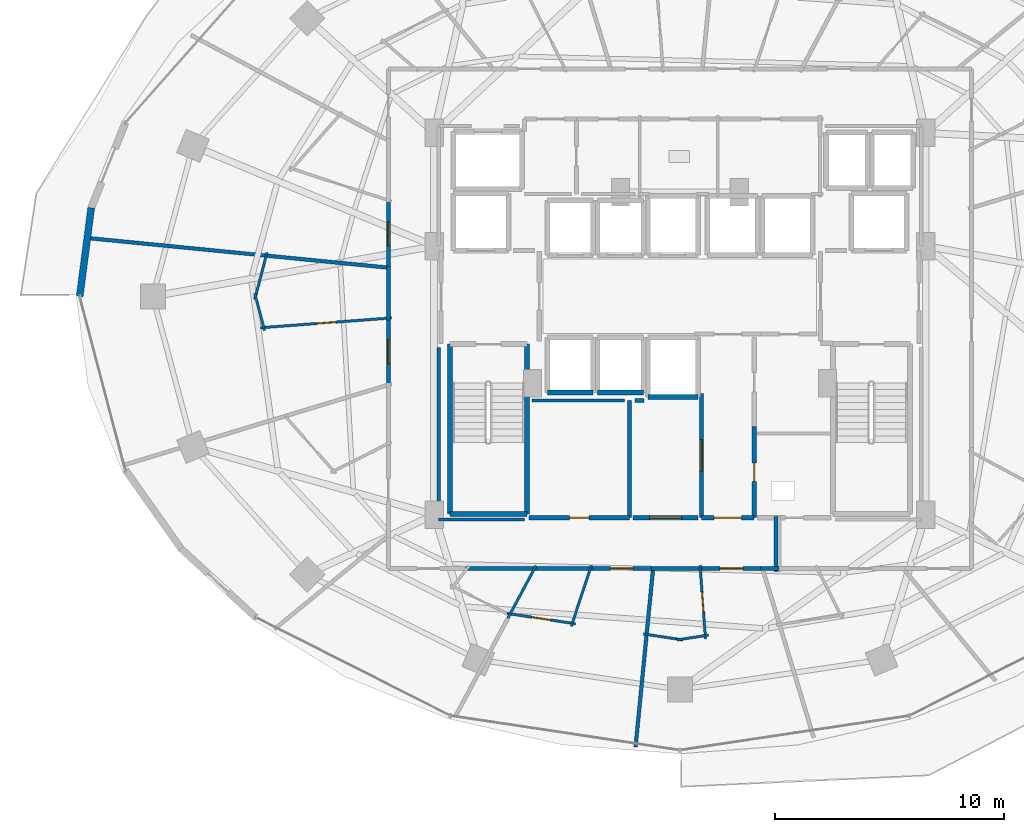
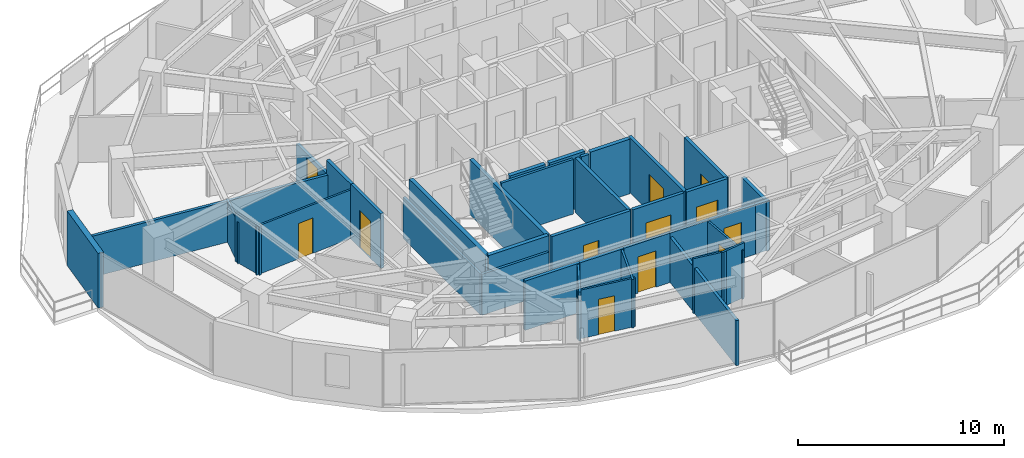
# One storey, part 21 of 29: 38 walls, 12 doors, 12 openings.
"""IFC4 building model written with IfcOpenShell, lengths in metres."""

from ifc_helpers import new_model, si_unit, direction, frame, frame_2d, origin, place, context, subcontext, project, spatial, rectangle, extrude, material, layer, layer_set, type_object, element, fill, save


model = new_model("IFC4")

# Units and contexts
model_context = context("Model", 3, precision=1e-05, world=origin(), true_north=direction((0.0, 1.0)))
body_context = subcontext(model_context, "Body", "Model", "MODEL_VIEW")
ifc_project = project(units=[si_unit("LENGTHUNIT", "METRE"), si_unit("AREAUNIT", "SQUARE_METRE"), si_unit("VOLUMEUNIT", "CUBIC_METRE"), si_unit("PLANEANGLEUNIT", "RADIAN"), si_unit("MASSUNIT", "GRAM", prefix="KILO")], contexts=[model_context])

# Site, building, storey
site_placement = place(None, origin())
site = spatial("IfcSite", under=ifc_project, at=site_placement, CompositionType="ELEMENT")
building_placement = place(site_placement, origin())
building = spatial("IfcBuilding", under=site, at=building_placement, Name="Vorneva Point Tower", CompositionType="ELEMENT")
storey_placement = place(building_placement, frame((0.0, 0.0, 110.300048828125)))
storey = spatial("IfcBuildingStorey", under=building, at=storey_placement, Name="L29", CompositionType="ELEMENT", Elevation=110.300048828125)

# Walls
ifc_material_1 = material(Name="Precast concrete B50 (C40/50)", Category="concrete")
ifc_layer_1 = layer(ifc_material_1, 0.300048828125)
ifc_layer_set_1 = layer_set([ifc_layer_1], Name="Precast concrete B50 (C40/50)")
wall_type_1 = type_object("IfcWallType", Name="WL-EXT-300", PredefinedType="STANDARD", material=ifc_layer_set_1)
wall_1_placement = place(storey_placement, frame((12.25439453125, 29.87255859375, 0.0), z_axis=(0.0, 0.0, 1.0), x_axis=(-0.129157444793, -0.991624099372, 0.0)))
element("IfcWall", 1, at=wall_1_placement, inside=storey, type_object=wall_type_1, Name="L29 Pale-Metal Facade Spandrel Wall 08.2", PredefinedType="STANDARD", context=body_context, shape_type="SweptSolid", body=[
    extrude(rectangle(XDim=3.9052734375, YDim=0.300048828125, at=frame_2d((1.95263671875, 0.0))), origin(), (0.0, 0.0, 1.0), 3.239990234375),
])
ifc_material_2 = material(Name="Fire-rated acoustic gypsum stud partition", Category="gypsum")
ifc_layer_2 = layer(ifc_material_2, 0.110107421875)
ifc_layer_set_2 = layer_set([ifc_layer_2], Name="Fire-rated acoustic gypsum stud partition")
wall_type_2 = type_object("IfcWallType", Name="WL-PART-110", PredefinedType="PARTITIONING", material=ifc_layer_set_2)
wall_2_placement = place(storey_placement, frame((19.83349609375, 24.503662109375, 0.0), z_axis=(0.0, 0.0, 1.0), x_axis=(-0.254365100164, 0.967108264787, 0.0)))
element("IfcWall", 2, at=wall_2_placement, inside=storey, type_object=wall_type_2, Name="L29 Interior Partition 087", PredefinedType="PARTITIONING", context=body_context, shape_type="SweptSolid", body=[
    extrude(rectangle(XDim=1.687255859375, YDim=0.110107421875, at=frame_2d((0.84375, 0.0))), origin(), (0.0, 0.0, 1.0), 2.885986328125),
])
wall_3_placement = place(storey_placement, frame((19.404296875, 25.864501953125, 0.0), z_axis=(0.0, 0.0, 1.0), x_axis=(0.254504620934, 0.967071557809, 0.0)))
element("IfcWall", 3, at=wall_3_placement, inside=storey, type_object=wall_type_2, Name="L29 Interior Partition 088", PredefinedType="PARTITIONING", context=body_context, shape_type="SweptSolid", body=[
    extrude(rectangle(XDim=2.122802734375, YDim=0.110107421875, at=frame_2d((1.0615234375, 0.0))), origin(), (0.0, 0.0, 1.0), 2.431884765625),
])

# Wall, opening, door
wall_4_placement = place(storey_placement, frame((25.3896484375, 25.057373046875, 0.0), z_axis=(0.0, 0.0, 1.0), x_axis=(-0.997213943518, -0.074594576563, 0.0)))
wall_4 = element("IfcWall", 4, at=wall_4_placement, inside=storey, type_object=wall_type_2, Name="L29 Interior Partition 089", PredefinedType="PARTITIONING", context=body_context, shape_type="SweptSolid", body=[
    extrude(rectangle(XDim=5.747314453125, YDim=0.110107421875, at=frame_2d((2.87353515625, 0.0))), origin(), (0.0, 0.0, 1.0), 2.885986328125),
])
opening_1_placement = place(wall_4_placement, frame((2.448486328125, 0.0, 0.0)))
opening_1 = element("IfcOpeningElement", 5, at=opening_1_placement, cuts=wall_4, Name="Opening ID-02", PredefinedType="OPENING", context=body_context, shape_type="SweptSolid", body=[
    extrude(rectangle(XDim=0.85009765625, YDim=2.10009765625, at=frame_2d((0.425048828125, 1.050048828125))), frame((0.0, 0.06982421875, 0.0), z_axis=(0.0, -1.0, 0.0), x_axis=(1.0, 0.0, 0.0)), (0.0, 0.0, 1.0), 0.139892578125),
])
ifc_material_3 = material(Name="Engineered oak fire-rated door leaf", Category="wood")
door_type_1 = type_object("IfcDoorType", Name="DR-BATH-850", OperationType="NOTDEFINED", PredefinedType="DOOR", material=ifc_material_3)
door_1_placement = place(opening_1_placement, origin())
door_1 = element("IfcDoor", 6, at=door_1_placement, inside=storey, type_object=door_type_1, Name="L29 Door Junior Suite L29-08 / En-Suite Bathroom L29-08", OperationType="SINGLE_SWING_RIGHT", OverallHeight=2.10009765625, OverallWidth=0.85009765625, PredefinedType="DOOR", context=body_context, shape_type="SweptSolid", body=[
    extrude(rectangle(XDim=0.85009765625, YDim=2.10009765625, at=frame_2d((0.425048828125, 1.050048828125))), frame((0.0, 0.02490234375, 0.0), z_axis=(0.0, -1.0, 0.0), x_axis=(1.0, 0.0, 0.0)), (0.0, 0.0, 1.0), 0.050048828125),
])
fill(opening_1, door_1)

# Wall
wall_5_placement = place(storey_placement, frame((30.48095703125, 11.93359375, 0.0), z_axis=(0.0, 0.0, 1.0), x_axis=(0.471456709401, 0.881889205718, 0.0)))
element("IfcWall", 7, at=wall_5_placement, inside=storey, type_object=wall_type_2, Name="L29 Interior Partition 097", PredefinedType="PARTITIONING", context=body_context, shape_type="SweptSolid", body=[
    extrude(rectangle(XDim=2.596435546875, YDim=0.110107421875, at=frame_2d((1.29833984375, 0.0))), origin(), (0.0, 0.0, 1.0), 2.885986328125),
])

# Wall, opening, door
wall_6_placement = place(storey_placement, frame((33.431396484375, 11.68310546875, 0.0), z_axis=(0.0, 0.0, 1.0), x_axis=(-0.988849795555, 0.148916358508, 0.0)))
wall_6 = element("IfcWall", 8, at=wall_6_placement, inside=storey, type_object=wall_type_2, Name="L29 Interior Partition 099", PredefinedType="PARTITIONING", context=body_context, shape_type="SweptSolid", body=[
    extrude(rectangle(XDim=3.0263671875, YDim=0.110107421875, at=frame_2d((1.51318359375, 0.0))), origin(), (0.0, 0.0, 1.0), 2.885986328125),
])
opening_2_placement = place(wall_6_placement, frame((1.08837890625, 0.0, 0.0)))
opening_2 = element("IfcOpeningElement", 9, at=opening_2_placement, cuts=wall_6, Name="Opening ID-02", PredefinedType="OPENING", context=body_context, shape_type="SweptSolid", body=[
    extrude(rectangle(XDim=0.85009765625, YDim=2.10009765625, at=frame_2d((0.425048828125, 1.050048828125))), frame((0.0, 0.06982421875, 0.0), z_axis=(0.0, -1.0, 0.0), x_axis=(1.0, 0.0, 0.0)), (0.0, 0.0, 1.0), 0.139892578125),
])
door_2_placement = place(opening_2_placement, origin())
door_2 = element("IfcDoor", 10, at=door_2_placement, inside=storey, type_object=door_type_1, Name="L29 Door Deluxe Guest Room L29-11 / En-Suite Bathroom L29-11", OperationType="SINGLE_SWING_LEFT", OverallHeight=2.10009765625, OverallWidth=0.85009765625, PredefinedType="DOOR", context=body_context, shape_type="SweptSolid", body=[
    extrude(rectangle(XDim=0.85009765625, YDim=2.10009765625, at=frame_2d((0.425048828125, 1.050048828125))), frame((0.0, 0.02490234375, 0.0), z_axis=(0.0, -1.0, 0.0), x_axis=(1.0, 0.0, 0.0)), (0.0, 0.0, 1.0), 0.050048828125),
])
fill(opening_2, door_2)

# Walls
wall_7_placement = place(storey_placement, frame((34.125732421875, 14.23291015625, 0.0), z_axis=(0.0, 0.0, 1.0), x_axis=(-0.312749678962, -0.949835584882, 0.0)))
element("IfcWall", 11, at=wall_7_placement, inside=storey, type_object=wall_type_2, Name="L29 Interior Partition 100", PredefinedType="PARTITIONING", context=body_context, shape_type="SweptSolid", body=[
    extrude(rectangle(XDim=2.802490234375, YDim=0.110107421875, at=frame_2d((1.4013671875, 0.0))), origin(), (0.0, 0.0, 1.0), 2.885986328125),
])
wall_8_placement = place(storey_placement, frame((39.247314453125, 11.183837890625, 0.0), z_axis=(0.0, 0.0, 1.0), x_axis=(-0.988844156702, -0.148953797389, 0.0)))
element("IfcWall", 12, at=wall_8_placement, inside=storey, type_object=wall_type_2, Name="L29 Interior Partition 102", PredefinedType="PARTITIONING", context=body_context, shape_type="SweptSolid", body=[
    extrude(rectangle(XDim=1.4013671875, YDim=0.110107421875, at=frame_2d((0.70068359375, 0.0))), origin(), (0.0, 0.0, 1.0), 3.239990234375),
])
wall_9_placement = place(storey_placement, frame((38.138427734375, 10.97509765625, 0.0), z_axis=(0.0, 0.0, 1.0), x_axis=(-0.988868806461, 0.148790065554, 0.0)))
element("IfcWall", 13, at=wall_9_placement, inside=storey, type_object=wall_type_2, Name="L29 Interior Partition 103", PredefinedType="PARTITIONING", context=body_context, shape_type="SweptSolid", body=[
    extrude(rectangle(XDim=1.75244140625, YDim=0.110107421875, at=frame_2d((0.876220703125, 0.0))), origin(), (0.0, 0.0, 1.0), 3.239990234375),
])

# Wall, opening, door
wall_10_placement = place(storey_placement, frame((38.879638671875, 14.239501953125, 0.0), z_axis=(0.0, 0.0, 1.0), x_axis=(0.074340146514, -0.997232943006, 0.0)))
wall_10 = element("IfcWall", 14, at=wall_10_placement, inside=storey, type_object=wall_type_2, Name="L29 Interior Partition 104", PredefinedType="PARTITIONING", context=body_context, shape_type="SweptSolid", body=[
    extrude(rectangle(XDim=3.22509765625, YDim=0.110107421875, at=frame_2d((1.612548828125, 0.0))), origin(), (0.0, 0.0, 1.0), 2.885986328125),
])
opening_3_placement = place(wall_10_placement, frame((1.1875, 0.0, 0.0)))
opening_3 = element("IfcOpeningElement", 15, at=opening_3_placement, cuts=wall_10, Name="Opening ID-02", PredefinedType="OPENING", context=body_context, shape_type="SweptSolid", body=[
    extrude(rectangle(XDim=0.85009765625, YDim=2.10009765625, at=frame_2d((0.425048828125, 1.050048828125))), frame((0.0, 0.06982421875, 0.0), z_axis=(0.0, -1.0, 0.0), x_axis=(1.0, 0.0, 0.0)), (0.0, 0.0, 1.0), 0.139892578125),
])
door_3_placement = place(opening_3_placement, origin())
door_3 = element("IfcDoor", 16, at=door_3_placement, inside=storey, type_object=door_type_1, Name="L29 Door King Guest Room L29-12 / En-Suite Bathroom L29-12", OperationType="SINGLE_SWING_RIGHT", OverallHeight=2.10009765625, OverallWidth=0.85009765625, PredefinedType="DOOR", context=body_context, shape_type="SweptSolid", body=[
    extrude(rectangle(XDim=0.85009765625, YDim=2.10009765625, at=frame_2d((0.425048828125, 1.050048828125))), frame((0.0, 0.02490234375, 0.0), z_axis=(0.0, -1.0, 0.0), x_axis=(1.0, 0.0, 0.0)), (0.0, 0.0, 1.0), 0.050048828125),
])
fill(opening_3, door_3)

# Walls
ifc_layer_3 = layer(ifc_material_2, 0.139892578125)
ifc_layer_set_3 = layer_set([ifc_layer_3], Name="Fire-rated acoustic gypsum stud partition")
wall_type_3 = type_object("IfcWallType", Name="WL-PART-140", PredefinedType="PARTITIONING", material=ifc_layer_set_3)
wall_11_placement = place(storey_placement, frame((35.580078125, 21.449951171875, 0.0), z_axis=(0.0, 0.0, 1.0), x_axis=(-1.0, 0.0, 0.0)))
element("IfcWall", 17, at=wall_11_placement, inside=storey, type_object=wall_type_3, Name="L29 Interior Closure Partition 121", PredefinedType="PARTITIONING", context=body_context, shape_type="SweptSolid", body=[
    extrude(rectangle(XDim=4.050048828125, YDim=0.139892578125, at=frame_2d((2.02490234375, 0.0))), origin(), (0.0, 0.0, 1.0), 3.239990234375),
])
wall_12_placement = place(storey_placement, frame((31.195068359375, 16.239990234375, 0.0), z_axis=(0.0, 0.0, 1.0), x_axis=(-1.0, 0.0, 0.0)))
element("IfcWall", 18, at=wall_12_placement, inside=storey, type_object=wall_type_3, Name="L29 Interior Closure Partition 127", PredefinedType="PARTITIONING", context=body_context, shape_type="SweptSolid", body=[
    extrude(rectangle(XDim=3.7451171875, YDim=0.139892578125, at=frame_2d((1.87255859375, 0.0))), origin(), (0.0, 0.0, 1.0), 2.431884765625),
])
wall_13_placement = place(storey_placement, frame((27.449951171875, 16.239990234375, 0.0), z_axis=(0.0, 0.0, 1.0), x_axis=(0.0, 1.0, 0.0)))
element("IfcWall", 19, at=wall_13_placement, inside=storey, type_object=wall_type_3, Name="L29 Interior Closure Partition 128", PredefinedType="PARTITIONING", context=body_context, shape_type="SweptSolid", body=[
    extrude(rectangle(XDim=7.513916015625, YDim=0.139892578125, at=frame_2d((3.7568359375, 0.0))), origin(), (0.0, 0.0, 1.0), 2.431884765625),
])
ifc_layer_4 = layer(ifc_material_2, 0.159912109375)
ifc_layer_set_4 = layer_set([ifc_layer_4], Name="Fire-rated acoustic gypsum stud partition")
wall_type_4 = type_object("IfcWallType", Name="WL-PART-160", PredefinedType="PARTITIONING", material=ifc_layer_set_4)
wall_14_placement = place(storey_placement, frame((12.0830078125, 28.552978515625, 0.0), z_axis=(0.0, 0.0, 1.0), x_axis=(0.995184435733, -0.098020094241, 0.0)))
element("IfcWall", 20, at=wall_14_placement, inside=storey, type_object=wall_type_4, Name="L29 Interior Partition 086", PredefinedType="PARTITIONING", context=body_context, shape_type="SweptSolid", body=[
    extrude(rectangle(XDim=13.230712890625, YDim=0.159912109375, at=frame_2d((6.615234375, 0.0))), origin(), (0.0, 0.0, 1.0), 2.431884765625),
])
wall_15_placement = place(storey_placement, frame((36.05908203125, 6.294921875, 0.0), z_axis=(0.0, 0.0, 1.0), x_axis=(0.098024226043, 0.995184028765, 0.0)))
element("IfcWall", 21, at=wall_15_placement, inside=storey, type_object=wall_type_4, Name="L29 Interior Partition 101", PredefinedType="PARTITIONING", context=body_context, shape_type="SweptSolid", body=[
    extrude(rectangle(XDim=7.843017578125, YDim=0.159912109375, at=frame_2d((3.92138671875, 0.0))), origin(), (0.0, 0.0, 1.0), 2.677001953125),
])

# Wall, opening, door
ifc_material_4 = material(Name="Autoclaved aerated concrete blockwork", Category="masonry")
ifc_layer_5 = layer(ifc_material_4, 0.179931640625)
ifc_layer_set_5 = layer_set([ifc_layer_5], Name="Autoclaved aerated concrete blockwork")
wall_type_5 = type_object("IfcWallType", Name="WL-PART-180", PredefinedType="PARTITIONING", material=ifc_layer_set_5)
wall_16_placement = place(storey_placement, frame((41.25, 16.320068359375, 0.0), z_axis=(0.0, 0.0, 1.0), x_axis=(0.0, 1.0, 0.0)))
wall_16 = element("IfcWall", 22, at=wall_16_placement, inside=storey, type_object=wall_type_5, Name="L29 Interior Partition 011", PredefinedType="PARTITIONING", context=body_context, shape_type="SweptSolid", body=[
    extrude(rectangle(XDim=3.98486328125, YDim=0.179931640625, at=frame_2d((1.992431640625, 0.0))), origin(), (0.0, 0.0, 1.0), 3.239990234375),
])
opening_4_placement = place(wall_16_placement, frame((1.592529296875, 0.0, 0.0)))
opening_4 = element("IfcOpeningElement", 23, at=opening_4_placement, cuts=wall_16, Name="Opening RD-01", PredefinedType="OPENING", context=body_context, shape_type="SweptSolid", body=[
    extrude(rectangle(XDim=0.800048828125, YDim=2.050048828125, at=frame_2d((0.39990234375, 1.02490234375))), frame((0.0, 0.10498046875, 0.0), z_axis=(0.0, -1.0, 0.0), x_axis=(1.0, 0.0, 0.0)), (0.0, 0.0, 1.0), 0.209716796875),
])
ifc_material_5 = material(Name="Fire-rated powder-coated steel", Category="steel")
door_type_2 = type_object("IfcDoorType", Name="DR-RSR-800", OperationType="SINGLE_SWING_LEFT", PredefinedType="DOOR", material=ifc_material_5)
door_4_placement = place(opening_4_placement, origin())
door_4 = element("IfcDoor", 24, at=door_4_placement, inside=storey, type_object=door_type_2, Name="L29 Door Core Service Lobby / Electrical Riser", OperationType="SINGLE_SWING_RIGHT", OverallHeight=2.050048828125, OverallWidth=0.800048828125, PredefinedType="DOOR", context=body_context, shape_type="SweptSolid", body=[
    extrude(rectangle(XDim=0.800048828125, YDim=2.050048828125, at=frame_2d((0.39990234375, 1.02490234375))), frame((0.0, 0.02490234375, 0.0), z_axis=(0.0, -1.0, 0.0), x_axis=(1.0, 0.0, 0.0)), (0.0, 0.0, 1.0), 0.050048828125),
])
fill(opening_4, door_4)

wall_17_placement = place(storey_placement, frame((38.949951171875, 21.7548828125, 0.0), z_axis=(0.0, 0.0, 1.0), x_axis=(0.0, -1.0, 0.0)))
wall_17 = element("IfcWall", 25, at=wall_17_placement, inside=storey, type_object=wall_type_5, Name="L29 Interior Partition 013", PredefinedType="PARTITIONING", context=body_context, shape_type="SweptSolid", body=[
    extrude(rectangle(XDim=5.434814453125, YDim=0.179931640625, at=frame_2d((2.71728515625, 0.0))), origin(), (0.0, 0.0, 1.0), 3.239990234375),
])
opening_5_placement = place(wall_17_placement, frame((2.017578125, 0.0, 0.0)))
opening_5 = element("IfcOpeningElement", 26, at=opening_5_placement, cuts=wall_17, Name="Opening FD-03", PredefinedType="OPENING", context=body_context, shape_type="SweptSolid", body=[
    extrude(rectangle(XDim=1.39990234375, YDim=2.199951171875, at=frame_2d((0.699951171875, 1.10009765625))), frame((0.0, 0.10498046875, 0.0), z_axis=(0.0, -1.0, 0.0), x_axis=(1.0, 0.0, 0.0)), (0.0, 0.0, 1.0), 0.209716796875),
])
door_type_3 = type_object("IfcDoorType", Name="DR-PLT-1400", OperationType="DOUBLE_SWING_LEFT", PredefinedType="DOOR", material=ifc_material_5)
door_5_placement = place(opening_5_placement, origin())
door_5 = element("IfcDoor", 27, at=door_5_placement, inside=storey, type_object=door_type_3, Name="L29 Door Core Service Lobby / Telecoms and Data Room", OperationType="DOUBLE_SWING_LEFT", OverallHeight=2.199951171875, OverallWidth=1.39990234375, PredefinedType="DOOR", context=body_context, shape_type="SweptSolid", body=[
    extrude(rectangle(XDim=1.39990234375, YDim=2.199951171875, at=frame_2d((0.699951171875, 1.10009765625))), frame((0.0, 0.02490234375, 0.0), z_axis=(0.0, -1.0, 0.0), x_axis=(1.0, 0.0, 0.0)), (0.0, 0.0, 1.0), 0.050048828125),
])
fill(opening_5, door_5)

wall_18_placement = place(storey_placement, frame((38.949951171875, 16.320068359375, 0.0), z_axis=(0.0, 0.0, 1.0), x_axis=(1.0, 0.0, 0.0)))
wall_18 = element("IfcWall", 28, at=wall_18_placement, inside=storey, type_object=wall_type_5, Name="L29 Interior Partition 014", PredefinedType="PARTITIONING", context=body_context, shape_type="SweptSolid", body=[
    extrude(rectangle(XDim=2.300048828125, YDim=0.179931640625, at=frame_2d((1.14990234375, 0.0))), origin(), (0.0, 0.0, 1.0), 3.239990234375),
])
opening_6_placement = place(wall_18_placement, frame((0.550048828125, 0.0, 0.0)))
opening_6 = element("IfcOpeningElement", 29, at=opening_6_placement, cuts=wall_18, Name="Opening FD-02", PredefinedType="OPENING", context=body_context, shape_type="SweptSolid", body=[
    extrude(rectangle(XDim=1.199951171875, YDim=2.14990234375, at=frame_2d((0.60009765625, 1.074951171875))), frame((0.0, 0.10498046875, 0.0), z_axis=(0.0, -1.0, 0.0), x_axis=(1.0, 0.0, 0.0)), (0.0, 0.0, 1.0), 0.209716796875),
])
door_type_4 = type_object("IfcDoorType", Name="DR-FFL-1200", OperationType="NOTDEFINED", PredefinedType="DOOR", material=ifc_material_5)
door_6_placement = place(opening_6_placement, origin())
door_6 = element("IfcDoor", 30, at=door_6_placement, inside=storey, type_object=door_type_4, Name="L29 Door Core Service Lobby / L29 Circulation Corridor", OperationType="SINGLE_SWING_LEFT", OverallHeight=2.14990234375, OverallWidth=1.199951171875, PredefinedType="DOOR", context=body_context, shape_type="SweptSolid", body=[
    extrude(rectangle(XDim=1.199951171875, YDim=2.14990234375, at=frame_2d((0.60009765625, 1.074951171875))), frame((0.0, 0.02490234375, 0.0), z_axis=(0.0, -1.0, 0.0), x_axis=(1.0, 0.0, 0.0)), (0.0, 0.0, 1.0), 0.050048828125),
])
fill(opening_6, door_6)

# Wall
wall_19_placement = place(storey_placement, frame((35.800048828125, 16.320068359375, 0.0), z_axis=(0.0, 0.0, 1.0), x_axis=(0.0, 1.0, 0.0)))
element("IfcWall", 31, at=wall_19_placement, inside=storey, type_object=wall_type_5, Name="L29 Interior Partition 023", PredefinedType="PARTITIONING", context=body_context, shape_type="SweptSolid", body=[
    extrude(rectangle(XDim=5.1298828125, YDim=0.179931640625, at=frame_2d((2.56494140625, 0.0))), origin(), (0.0, 0.0, 1.0), 3.239990234375),
])

# Wall, opening, door
wall_20_placement = place(storey_placement, frame((31.39990234375, 16.320068359375, 0.0), z_axis=(0.0, 0.0, 1.0), x_axis=(1.0, 0.0, 0.0)))
wall_20 = element("IfcWall", 32, at=wall_20_placement, inside=storey, type_object=wall_type_5, Name="L29 Interior Partition 024", PredefinedType="PARTITIONING", context=body_context, shape_type="SweptSolid", body=[
    extrude(rectangle(XDim=4.400146484375, YDim=0.179931640625, at=frame_2d((2.2001953125, 0.0))), origin(), (0.0, 0.0, 1.0), 3.239990234375),
])
opening_7_placement = place(wall_20_placement, frame((1.77490234375, 0.0, 0.0)))
opening_7 = element("IfcOpeningElement", 33, at=opening_7_placement, cuts=wall_20, Name="Opening ID-02", PredefinedType="OPENING", context=body_context, shape_type="SweptSolid", body=[
    extrude(rectangle(XDim=0.85009765625, YDim=2.10009765625, at=frame_2d((0.425048828125, 1.050048828125))), frame((0.0, 0.10498046875, 0.0), z_axis=(0.0, -1.0, 0.0), x_axis=(1.0, 0.0, 0.0)), (0.0, 0.0, 1.0), 0.209716796875),
])
door_7_placement = place(opening_7_placement, origin())
door_7 = element("IfcDoor", 34, at=door_7_placement, inside=storey, type_object=door_type_1, Name="L29 Door Housekeeping Store / L29 Circulation Corridor", OperationType="SINGLE_SWING_RIGHT", OverallHeight=2.10009765625, OverallWidth=0.85009765625, PredefinedType="DOOR", context=body_context, shape_type="SweptSolid", body=[
    extrude(rectangle(XDim=0.85009765625, YDim=2.10009765625, at=frame_2d((0.425048828125, 1.050048828125))), frame((0.0, 0.02490234375, 0.0), z_axis=(0.0, -1.0, 0.0), x_axis=(1.0, 0.0, 0.0)), (0.0, 0.0, 1.0), 0.050048828125),
])
fill(opening_7, door_7)

wall_21_placement = place(storey_placement, frame((35.949951171875, 16.320068359375, 0.0), z_axis=(0.0, 0.0, 1.0), x_axis=(1.0, 0.0, 0.0)))
wall_21 = element("IfcWall", 35, at=wall_21_placement, inside=storey, type_object=wall_type_5, Name="L29 Interior Partition 025", PredefinedType="PARTITIONING", context=body_context, shape_type="SweptSolid", body=[
    extrude(rectangle(XDim=2.85009765625, YDim=0.179931640625, at=frame_2d((1.425048828125, 0.0))), origin(), (0.0, 0.0, 1.0), 3.239990234375),
])
opening_8_placement = place(wall_21_placement, frame((0.72509765625, 0.0, 0.0)))
opening_8 = element("IfcOpeningElement", 36, at=opening_8_placement, cuts=wall_21, Name="Opening FD-03", PredefinedType="OPENING", context=body_context, shape_type="SweptSolid", body=[
    extrude(rectangle(XDim=1.39990234375, YDim=2.199951171875, at=frame_2d((0.699951171875, 1.10009765625))), frame((0.0, 0.10498046875, 0.0), z_axis=(0.0, -1.0, 0.0), x_axis=(1.0, 0.0, 0.0)), (0.0, 0.0, 1.0), 0.209716796875),
])
door_8_placement = place(opening_8_placement, origin())
door_8 = element("IfcDoor", 37, at=door_8_placement, inside=storey, type_object=door_type_3, Name="L29 Door Telecoms and Data Room / L29 Circulation Corridor", OperationType="DOUBLE_SWING_LEFT", OverallHeight=2.199951171875, OverallWidth=1.39990234375, PredefinedType="DOOR", context=body_context, shape_type="SweptSolid", body=[
    extrude(rectangle(XDim=1.39990234375, YDim=2.199951171875, at=frame_2d((0.699951171875, 1.10009765625))), frame((0.0, 0.02490234375, 0.0), z_axis=(0.0, -1.0, 0.0), x_axis=(1.0, 0.0, 0.0)), (0.0, 0.0, 1.0), 0.050048828125),
])
fill(opening_8, door_8)

wall_22_placement = place(storey_placement, frame((25.25, 30.260986328125, 0.0), z_axis=(0.0, 0.0, 1.0), x_axis=(0.0, -1.0, 0.0)))
wall_22 = element("IfcWall", 38, at=wall_22_placement, inside=storey, type_object=wall_type_5, Name="L29 Interior Partition 040", PredefinedType="PARTITIONING", context=body_context, shape_type="SweptSolid", body=[
    extrude(rectangle(XDim=3.06494140625, YDim=0.179931640625, at=frame_2d((1.532470703125, 0.0))), origin(), (0.0, 0.0, 1.0), 2.431884765625),
])
opening_9_placement = place(wall_22_placement, frame((1.007568359375, 0.0, 0.0)))
opening_9 = element("IfcOpeningElement", 39, at=opening_9_placement, cuts=wall_22, Name="Opening UD-02", PredefinedType="OPENING", context=body_context, shape_type="SweptSolid", body=[
    extrude(rectangle(XDim=1.050048828125, YDim=2.199951171875, at=frame_2d((0.52490234375, 1.10009765625))), frame((0.0, 0.10498046875, 0.0), z_axis=(0.0, -1.0, 0.0), x_axis=(1.0, 0.0, 0.0)), (0.0, 0.0, 1.0), 0.209716796875),
])
door_type_5 = type_object("IfcDoorType", Name="DR-SUITE-1050", OperationType="NOTDEFINED", PredefinedType="DOOR", material=ifc_material_3)
door_9_placement = place(opening_9_placement, origin())
door_9 = element("IfcDoor", 40, at=door_9_placement, inside=storey, type_object=door_type_5, Name="L29 Door L29 Circulation Corridor / Corner Suite L29-07", OperationType="SINGLE_SWING_RIGHT", OverallHeight=2.199951171875, OverallWidth=1.050048828125, PredefinedType="DOOR", context=body_context, shape_type="SweptSolid", body=[
    extrude(rectangle(XDim=1.050048828125, YDim=2.199951171875, at=frame_2d((0.52490234375, 1.10009765625))), frame((0.0, 0.02490234375, 0.0), z_axis=(0.0, -1.0, 0.0), x_axis=(1.0, 0.0, 0.0)), (0.0, 0.0, 1.0), 0.050048828125),
])
fill(opening_9, door_9)

wall_23_placement = place(storey_placement, frame((25.25, 25.10693359375, 0.0), z_axis=(0.0, 0.0, 1.0), x_axis=(0.0, -1.0, 0.0)))
wall_23 = element("IfcWall", 41, at=wall_23_placement, inside=storey, type_object=wall_type_5, Name="L29 Interior Partition 042", PredefinedType="PARTITIONING", context=body_context, shape_type="SweptSolid", body=[
    extrude(rectangle(XDim=3.037841796875, YDim=0.179931640625, at=frame_2d((1.51904296875, 0.0))), origin(), (0.0, 0.0, 1.0), 3.239990234375),
])
opening_10_placement = place(wall_23_placement, frame((0.993896484375, 0.0, 0.0)))
opening_10 = element("IfcOpeningElement", 42, at=opening_10_placement, cuts=wall_23, Name="Opening UD-02", PredefinedType="OPENING", context=body_context, shape_type="SweptSolid", body=[
    extrude(rectangle(XDim=1.050048828125, YDim=2.199951171875, at=frame_2d((0.52490234375, 1.10009765625))), frame((0.0, 0.10498046875, 0.0), z_axis=(0.0, -1.0, 0.0), x_axis=(1.0, 0.0, 0.0)), (0.0, 0.0, 1.0), 0.209716796875),
])
door_10_placement = place(opening_10_placement, origin())
door_10 = element("IfcDoor", 43, at=door_10_placement, inside=storey, type_object=door_type_5, Name="L29 Door L29 Circulation Corridor / Junior Suite L29-08", OperationType="SINGLE_SWING_LEFT", OverallHeight=2.199951171875, OverallWidth=1.050048828125, PredefinedType="DOOR", context=body_context, shape_type="SweptSolid", body=[
    extrude(rectangle(XDim=1.050048828125, YDim=2.199951171875, at=frame_2d((0.52490234375, 1.10009765625))), frame((0.0, 0.02490234375, 0.0), z_axis=(0.0, -1.0, 0.0), x_axis=(1.0, 0.0, 0.0)), (0.0, 0.0, 1.0), 0.050048828125),
])
fill(opening_10, door_10)

# Walls
wall_24_placement = place(storey_placement, frame((25.25, 27.3359375, 0.0), z_axis=(0.0, 0.0, 1.0), x_axis=(0.0, -1.0, 0.0)))
element("IfcWall", 44, at=wall_24_placement, inside=storey, type_object=wall_type_5, Name="L29 Interior Partition 043", PredefinedType="PARTITIONING", context=body_context, shape_type="SweptSolid", body=[
    extrude(rectangle(XDim=2.368896484375, YDim=0.179931640625, at=frame_2d((1.1845703125, 0.0))), origin(), (0.0, 0.0, 1.0), 3.239990234375),
])
wall_25_placement = place(storey_placement, frame((28.614013671875, 14.10009765625, 0.0), z_axis=(0.0, 0.0, 1.0), x_axis=(1.0, 0.0, 0.0)))
element("IfcWall", 45, at=wall_25_placement, inside=storey, type_object=wall_type_5, Name="L29 Interior Partition 048", PredefinedType="PARTITIONING", context=body_context, shape_type="SweptSolid", body=[
    extrude(rectangle(XDim=3.22509765625, YDim=0.179931640625, at=frame_2d((1.612548828125, 0.0))), origin(), (0.0, 0.0, 1.0), 2.928955078125),
])

# Wall, opening, door
wall_26_placement = place(storey_placement, frame((34.01904296875, 14.10009765625, 0.0), z_axis=(0.0, 0.0, 1.0), x_axis=(1.0, 0.0, 0.0)))
wall_26 = element("IfcWall", 46, at=wall_26_placement, inside=storey, type_object=wall_type_5, Name="L29 Interior Partition 049", PredefinedType="PARTITIONING", context=body_context, shape_type="SweptSolid", body=[
    extrude(rectangle(XDim=2.868896484375, YDim=0.179931640625, at=frame_2d((1.4345703125, 0.0))), origin(), (0.0, 0.0, 1.0), 2.928955078125),
])
opening_11_placement = place(wall_26_placement, frame((0.9345703125, 0.0, 0.0)))
opening_11 = element("IfcOpeningElement", 47, at=opening_11_placement, cuts=wall_26, Name="Opening UD-01", PredefinedType="OPENING", context=body_context, shape_type="SweptSolid", body=[
    extrude(rectangle(XDim=1.0, YDim=2.14990234375, at=frame_2d((0.5, 1.074951171875))), frame((0.0, 0.10498046875, 0.0), z_axis=(0.0, -1.0, 0.0), x_axis=(1.0, 0.0, 0.0)), (0.0, 0.0, 1.0), 0.209716796875),
])
door_type_6 = type_object("IfcDoorType", Name="DR-UNIT-1000", OperationType="NOTDEFINED", PredefinedType="DOOR", material=ifc_material_3)
door_11_placement = place(opening_11_placement, origin())
door_11 = element("IfcDoor", 48, at=door_11_placement, inside=storey, type_object=door_type_6, Name="L29 Door L29 Circulation Corridor / Deluxe Guest Room L29-11", OperationType="SINGLE_SWING_RIGHT", OverallHeight=2.14990234375, OverallWidth=1.0, PredefinedType="DOOR", context=body_context, shape_type="SweptSolid", body=[
    extrude(rectangle(XDim=1.0, YDim=2.14990234375, at=frame_2d((0.5, 1.074951171875))), frame((0.0, 0.02490234375, 0.0), z_axis=(0.0, -1.0, 0.0), x_axis=(1.0, 0.0, 0.0)), (0.0, 0.0, 1.0), 0.050048828125),
])
fill(opening_11, door_11)

# Wall
wall_27_placement = place(storey_placement, frame((31.698974609375, 14.10009765625, 0.0), z_axis=(0.0, 0.0, 1.0), x_axis=(1.0, 0.0, 0.0)))
element("IfcWall", 49, at=wall_27_placement, inside=storey, type_object=wall_type_5, Name="L29 Interior Partition 050", PredefinedType="PARTITIONING", context=body_context, shape_type="SweptSolid", body=[
    extrude(rectangle(XDim=2.4599609375, YDim=0.179931640625, at=frame_2d((1.22998046875, 0.0))), origin(), (0.0, 0.0, 1.0), 2.928955078125),
])

# Wall, opening, door
wall_28_placement = place(storey_placement, frame((38.830078125, 14.10009765625, 0.0), z_axis=(0.0, 0.0, 1.0), x_axis=(1.0, 0.0, 0.0)))
wall_28 = element("IfcWall", 50, at=wall_28_placement, inside=storey, type_object=wall_type_5, Name="L29 Interior Partition 051", PredefinedType="PARTITIONING", context=body_context, shape_type="SweptSolid", body=[
    extrude(rectangle(XDim=2.843017578125, YDim=0.179931640625, at=frame_2d((1.42138671875, 0.0))), origin(), (0.0, 0.0, 1.0), 2.928955078125),
])
opening_12_placement = place(wall_28_placement, frame((0.92138671875, 0.0, 0.0)))
opening_12 = element("IfcOpeningElement", 51, at=opening_12_placement, cuts=wall_28, Name="Opening UD-01", PredefinedType="OPENING", context=body_context, shape_type="SweptSolid", body=[
    extrude(rectangle(XDim=1.0, YDim=2.14990234375, at=frame_2d((0.5, 1.074951171875))), frame((0.0, 0.10498046875, 0.0), z_axis=(0.0, -1.0, 0.0), x_axis=(1.0, 0.0, 0.0)), (0.0, 0.0, 1.0), 0.209716796875),
])
door_12_placement = place(opening_12_placement, origin())
door_12 = element("IfcDoor", 52, at=door_12_placement, inside=storey, type_object=door_type_6, Name="L29 Door L29 Circulation Corridor / King Guest Room L29-12", OperationType="SINGLE_SWING_LEFT", OverallHeight=2.14990234375, OverallWidth=1.0, PredefinedType="DOOR", context=body_context, shape_type="SweptSolid", body=[
    extrude(rectangle(XDim=1.0, YDim=2.14990234375, at=frame_2d((0.5, 1.074951171875))), frame((0.0, 0.02490234375, 0.0), z_axis=(0.0, -1.0, 0.0), x_axis=(1.0, 0.0, 0.0)), (0.0, 0.0, 1.0), 0.050048828125),
])
fill(opening_12, door_12)

# Walls
wall_29_placement = place(storey_placement, frame((36.748046875, 14.10009765625, 0.0), z_axis=(0.0, 0.0, 1.0), x_axis=(1.0, 0.0, 0.0)))
element("IfcWall", 53, at=wall_29_placement, inside=storey, type_object=wall_type_5, Name="L29 Interior Partition 052", PredefinedType="PARTITIONING", context=body_context, shape_type="SweptSolid", body=[
    extrude(rectangle(XDim=2.221923828125, YDim=0.179931640625, at=frame_2d((1.11083984375, 0.0))), origin(), (0.0, 0.0, 1.0), 2.928955078125),
])
wall_30_placement = place(storey_placement, frame((41.532958984375, 14.10009765625, 0.0), z_axis=(0.0, 0.0, 1.0), x_axis=(1.0, 0.0, 0.0)))
element("IfcWall", 54, at=wall_30_placement, inside=storey, type_object=wall_type_5, Name="L29 Interior Partition 056", PredefinedType="PARTITIONING", context=body_context, shape_type="SweptSolid", body=[
    extrude(rectangle(XDim=0.80712890625, YDim=0.179931640625, at=frame_2d((0.403564453125, 0.0))), origin(), (0.0, 0.0, 1.0), 2.928955078125),
])
wall_31_placement = place(storey_placement, frame((42.199951171875, 13.9599609375, 0.0), z_axis=(0.0, 0.0, 1.0), x_axis=(0.0, 1.0, 0.0)))
element("IfcWall", 55, at=wall_31_placement, inside=storey, type_object=wall_type_5, Name="L29 Interior Partition 057", PredefinedType="PARTITIONING", context=body_context, shape_type="SweptSolid", body=[
    extrude(rectangle(XDim=2.419921875, YDim=0.179931640625, at=frame_2d((1.2099609375, 0.0))), origin(), (0.0, 0.0, 1.0), 2.928955078125),
])
wall_32_placement = place(storey_placement, frame((36.43896484375, 21.449951171875, 0.0), z_axis=(0.0, 0.0, 1.0), x_axis=(-1.0, 0.0, 0.0)))
element("IfcWall", 56, at=wall_32_placement, inside=storey, type_object=wall_type_5, Name="L29 Interior Closure Partition 122", PredefinedType="PARTITIONING", context=body_context, shape_type="SweptSolid", body=[
    extrude(rectangle(XDim=0.408935546875, YDim=0.179931640625, at=frame_2d((0.20458984375, 0.0))), origin(), (0.0, 0.0, 1.0), 3.239990234375),
])
ifc_material_6 = material(Name="Concrete B50 (C40/50)", Category="concrete")
ifc_layer_6 = layer(ifc_material_6, 0.219970703125)
ifc_layer_set_6 = layer_set([ifc_layer_6], Name="Concrete B50 (C40/50)")
wall_type_6 = type_object("IfcWallType", Name="WL-SHFT-220", PredefinedType="SOLIDWALL", material=ifc_layer_set_6)
wall_33_placement = place(storey_placement, frame((31.31005859375, 23.909912109375, 0.0), z_axis=(0.0, 0.0, 1.0), x_axis=(0.0, -1.0, 0.0)))
element("IfcWall", 57, at=wall_33_placement, inside=storey, type_object=wall_type_6, Name="L29 Exit Stair ST1 Shaft Wall right", PredefinedType="SOLIDWALL", context=body_context, shape_type="SweptSolid", body=[
    extrude(rectangle(XDim=7.419921875, YDim=0.219970703125, at=frame_2d((3.7099609375, 0.0))), origin(), (0.0, 0.0, 1.0), 3.239990234375),
])
wall_34_placement = place(storey_placement, frame((31.31005859375, 16.489990234375, 0.0), z_axis=(0.0, 0.0, 1.0), x_axis=(-1.0, 0.0, 0.0)))
element("IfcWall", 58, at=wall_34_placement, inside=storey, type_object=wall_type_6, Name="L29 Exit Stair ST1 Shaft Wall far", PredefinedType="SOLIDWALL", context=body_context, shape_type="SweptSolid", body=[
    extrude(rectangle(XDim=3.3701171875, YDim=0.219970703125, at=frame_2d((1.68505859375, 0.0))), origin(), (0.0, 0.0, 1.0), 3.239990234375),
])
wall_35_placement = place(storey_placement, frame((27.93994140625, 16.489990234375, 0.0), z_axis=(0.0, 0.0, 1.0), x_axis=(0.0, 1.0, 0.0)))
element("IfcWall", 59, at=wall_35_placement, inside=storey, type_object=wall_type_6, Name="L29 Exit Stair ST1 Shaft Wall left", PredefinedType="SOLIDWALL", context=body_context, shape_type="SweptSolid", body=[
    extrude(rectangle(XDim=7.419921875, YDim=0.219970703125, at=frame_2d((3.7099609375, 0.0))), origin(), (0.0, 0.0, 1.0), 3.239990234375),
])
for number, where, z_axis, x_axis, name in (
    (60, (32.199951171875, 21.800048828125, 0.0), (0.0, 0.0, 1.0), (1.0, 0.0, 0.0), "L29 Lift PL4 Shaft Wall -Y"),
    (61, (34.39990234375, 21.800048828125, 0.0), (0.0, 0.0, 1.0), (1.0, 0.0, 0.0), "L29 Lift PL5 Shaft Wall -Y"),
):
    element("IfcWall", number, at=place(storey_placement, frame(where, z_axis=z_axis, x_axis=x_axis)), inside=storey, type_object=wall_type_6, Name=name, PredefinedType="SOLIDWALL", context=body_context, shape_type="SweptSolid", body=[
        extrude(rectangle(XDim=2.0, YDim=0.219970703125, at=frame_2d((1.0, 0.0))), origin(), (0.0, 0.0, 1.0), 3.239990234375),
    ])
wall_36_placement = place(storey_placement, frame((36.60009765625, 21.60009765625, 0.0), z_axis=(0.0, 0.0, 1.0), x_axis=(1.0, 0.0, 0.0)))
element("IfcWall", 62, at=wall_36_placement, inside=storey, type_object=wall_type_6, Name="L29 Lift PL6 Shaft Wall -Y", PredefinedType="SOLIDWALL", context=body_context, shape_type="SweptSolid", body=[
    extrude(rectangle(XDim=2.199951171875, YDim=0.219970703125, at=frame_2d((1.10009765625, 0.0))), origin(), (0.0, 0.0, 1.0), 3.239990234375),
])

save(model, "model.ifc")
